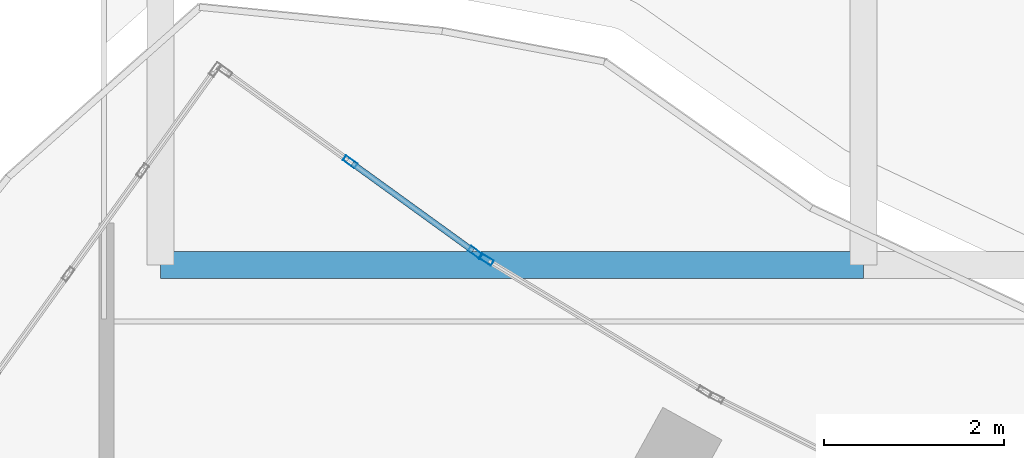
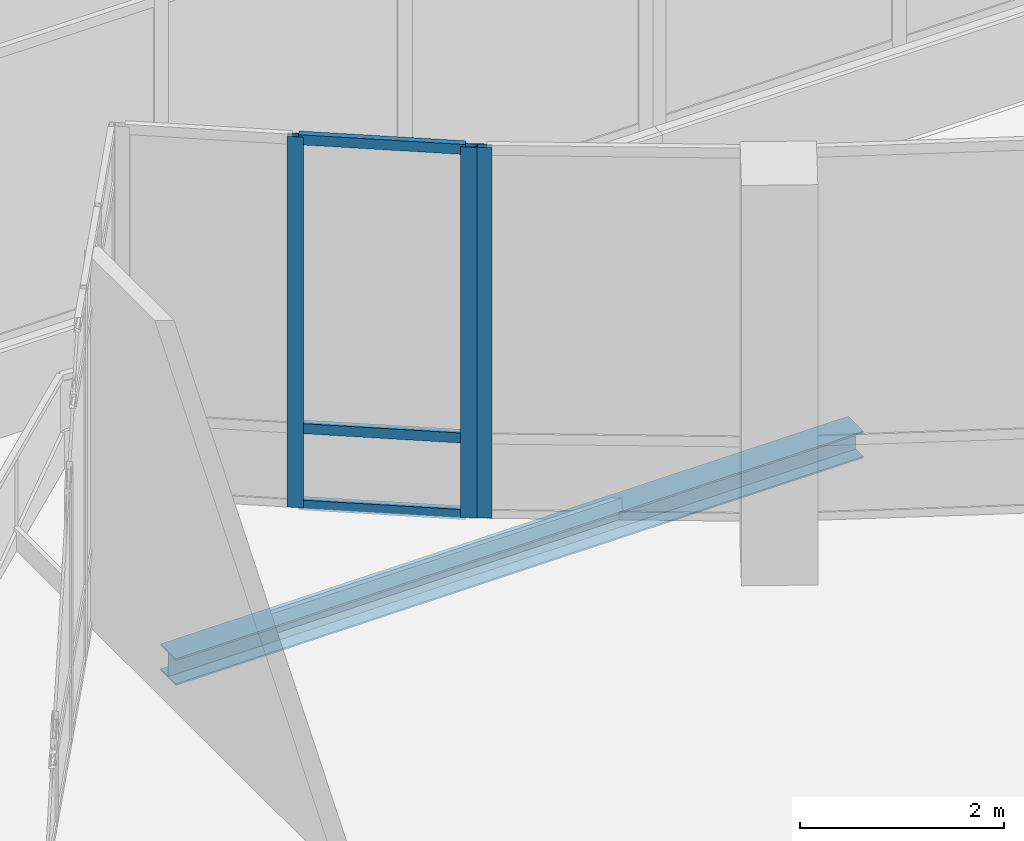
# One storey, part 27 of 168: 6 members, 1 beam, 2 elements without a shape of their own.
"""IFC4 building model written with IfcOpenShell, lengths in metres."""

from ifc_helpers import new_model, si_unit, direction, frame, origin, origin_2d, place, context, subcontext, project, spatial, hollow_rectangle, i_section, extrude, material, material_profile, profile_set, type_object, element, aggregate, save


model = new_model("IFC4")

# Units and contexts
model_context = context("Model", 3, precision=1e-05, world=origin(), true_north=direction((0.0, 1.0)))
body_context = subcontext(model_context, "Body", "Model", "MODEL_VIEW")
ifc_project = project(units=[si_unit("LENGTHUNIT", "METRE"), si_unit("AREAUNIT", "SQUARE_METRE"), si_unit("VOLUMEUNIT", "CUBIC_METRE"), si_unit("PLANEANGLEUNIT", "RADIAN"), si_unit("MASSUNIT", "GRAM", prefix="KILO")], contexts=[model_context])

# Site, building, storey
site_placement = place(None, origin())
site = spatial("IfcSite", under=ifc_project, at=site_placement, CompositionType="ELEMENT")
building_placement = place(site_placement, origin())
building = spatial("IfcBuilding", under=site, at=building_placement, Name="Selatvlak General Hospital", CompositionType="ELEMENT")
storey_placement = place(building_placement, frame((0.0, 0.0, 5.39990234375)))
storey = spatial("IfcBuildingStorey", under=building, at=storey_placement, Name="L01", CompositionType="ELEMENT", Elevation=5.39990234375)

# Beam
ifc_material_1 = material(Name="Steel S355", Category="steel")
ifc_material_profile_1 = material_profile(ifc_material_1, i_section(OverallWidth=0.300048828125, OverallDepth=0.320068359375, WebThickness=0.011474609375, FlangeThickness=0.0205078125, at=origin_2d()), Name="HEB 320")
ifc_profile_set_1 = profile_set([ifc_material_profile_1], Name="Steel S355")
beam_type = type_object("IfcBeamType", Name="BM-CAN", PredefinedType="BEAM", material=ifc_profile_set_1)
beam_placement = place(storey_placement, frame((31.800048828125, 48.10009765625, -0.47998046875), z_axis=(1.0, 0.0, 0.0), x_axis=(0.0, 1.0, 0.0)))
element("IfcBeam", 1, at=beam_placement, inside=storey, type_object=beam_type, Name="Beam BMR-L01-2939", PredefinedType="BEAM", context=body_context, shape_type="SweptSolid", body=[
    extrude(i_section(OverallWidth=0.300048828125, OverallDepth=0.320068359375, WebThickness=0.011474609375, FlangeThickness=0.0205078125, at=origin_2d()), origin(), (0.0, 0.0, 1.0), 7.800048828125),
])

# Curtain wall, members
ifc_material_2 = material(Name="Solar-control Low-E double glazing", Category="glass")
curtain_wall_type_1 = type_object("IfcCurtainWallType", Name="CW-CW-02", PredefinedType="USERDEFINED", material=ifc_material_2)
curtain_wall_1_placement = place(storey_placement, origin())
curtain_wall_1 = element("IfcCurtainWall", 2, at=curtain_wall_1_placement, inside=storey, type_object=curtain_wall_type_1, Name="Glazed facade curtain wall CW-L01-0190", ObjectType="UNITISED CURTAIN WALL", PredefinedType="USERDEFINED")
ifc_material_3 = material(Name="Dark anodised aluminium mullion", Category="aluminium")
ifc_material_profile_2 = material_profile(ifc_material_3, hollow_rectangle(XDim=0.06494140625, YDim=0.159912109375, WallThickness=0.00390625, at=origin_2d()), Name="AL-MUL 65x160x4")
ifc_profile_set_2 = profile_set([ifc_material_profile_2], Name="Dark anodised aluminium mullion")
member_type_1 = type_object("IfcMemberType", Name="CWM-01", PredefinedType="MULLION", material=ifc_profile_set_2)
member_1_placement = place(storey_placement, frame((33.903564453125, 49.242431640625, 0.0), z_axis=(0.0, 0.0, 1.0), x_axis=(0.58631560804, 0.810082716622, 0.0)))
member_1 = element("IfcMember", 3, at=member_1_placement, type_object=member_type_1, Name="CW-02 mullion 2", PredefinedType="MULLION", context=body_context, shape_type="SweptSolid", body=[
    extrude(hollow_rectangle(XDim=0.06494140625, YDim=0.159912109375, WallThickness=0.00390625, at=origin_2d()), origin(), (0.0, 0.0, 1.0), 4.445068359375),
])
member_2_placement = place(storey_placement, frame((35.292724609375, 48.237060546875, 0.0), z_axis=(0.0, 0.0, 1.0), x_axis=(0.58631560804, 0.810082716622, 0.0)))
member_2 = element("IfcMember", 4, at=member_2_placement, type_object=member_type_1, Name="CW-02 mullion 3", PredefinedType="MULLION", context=body_context, shape_type="SweptSolid", body=[
    extrude(hollow_rectangle(XDim=0.06494140625, YDim=0.159912109375, WallThickness=0.00390625, at=origin_2d()), origin(), (0.0, 0.0, 1.0), 4.445068359375),
])

# Curtain wall, member
curtain_wall_type_2 = type_object("IfcCurtainWallType", Name="CW-CW-01", PredefinedType="USERDEFINED", material=ifc_material_2)
curtain_wall_2_placement = place(storey_placement, origin())
curtain_wall_2 = element("IfcCurtainWall", 5, at=curtain_wall_2_placement, inside=storey, type_object=curtain_wall_type_2, Name="Glazed facade curtain wall CW-L01-0191", ObjectType="UNITISED CURTAIN WALL", PredefinedType="USERDEFINED")
member_3_placement = place(storey_placement, frame((35.414794921875, 48.158203125, 0.0), z_axis=(0.0, 0.0, 1.0), x_axis=(0.517384094885, 0.85575329293, 0.0)))
member_3 = element("IfcMember", 6, at=member_3_placement, type_object=member_type_1, Name="CW-01 mullion 1", PredefinedType="MULLION", context=body_context, shape_type="SweptSolid", body=[
    extrude(hollow_rectangle(XDim=0.06494140625, YDim=0.159912109375, WallThickness=0.00390625, at=origin_2d()), origin(), (0.0, 0.0, 1.0), 4.445068359375),
])
aggregate(curtain_wall_2, [member_3])

# Member
ifc_material_profile_3 = material_profile(ifc_material_3, hollow_rectangle(XDim=0.06494140625, YDim=0.1201171875, WallThickness=0.00390625, at=origin_2d()), Name="AL-TRN 65x120x4")
ifc_profile_set_3 = profile_set([ifc_material_profile_3], Name="Dark anodised aluminium mullion")
member_type_2 = type_object("IfcMemberType", Name="CWT-01", PredefinedType="USERDEFINED", material=ifc_profile_set_3)
member_4_placement = place(storey_placement, frame((33.929931640625, 49.223388671875, 0.03271484375), z_axis=(0.810077850293, -0.586322331542, 0.0), x_axis=(0.586322331542, 0.810077850293, 0.0)))
member_4 = element("IfcMember", 7, at=member_4_placement, type_object=member_type_2, Name="CW-02 transom 2.1", ObjectType="TRANSOM", PredefinedType="USERDEFINED", context=body_context, shape_type="SweptSolid", body=[
    extrude(hollow_rectangle(XDim=0.06494140625, YDim=0.1201171875, WallThickness=0.00390625, at=origin_2d()), origin(), (0.0, 0.0, 1.0), 1.649658203125),
])

member_5_placement = place(storey_placement, frame((33.929931640625, 49.223388671875, 0.9501953125), z_axis=(0.810077850293, -0.586322331542, 0.0), x_axis=(0.586322331542, 0.810077850293, 0.0)))
member_5 = element("IfcMember", 8, at=member_5_placement, type_object=member_type_2, Name="CW-02 transom 2.2", ObjectType="TRANSOM", PredefinedType="USERDEFINED", context=body_context, shape_type="SweptSolid", body=[
    extrude(hollow_rectangle(XDim=0.06494140625, YDim=0.1201171875, WallThickness=0.00390625, at=origin_2d()), origin(), (0.0, 0.0, 1.0), 1.649658203125),
])

member_6_placement = place(storey_placement, frame((33.929931640625, 49.223388671875, 4.41259765625), z_axis=(0.810077850293, -0.586322331542, 0.0), x_axis=(0.586322331542, 0.810077850293, 0.0)))
member_6 = element("IfcMember", 9, at=member_6_placement, type_object=member_type_2, Name="CW-02 transom 2.3", ObjectType="TRANSOM", PredefinedType="USERDEFINED", context=body_context, shape_type="SweptSolid", body=[
    extrude(hollow_rectangle(XDim=0.06494140625, YDim=0.1201171875, WallThickness=0.00390625, at=origin_2d()), origin(), (0.0, 0.0, 1.0), 1.649658203125),
])

aggregate(curtain_wall_1, [member_1, member_2, member_4, member_5, member_6])

save(model, "model.ifc")
